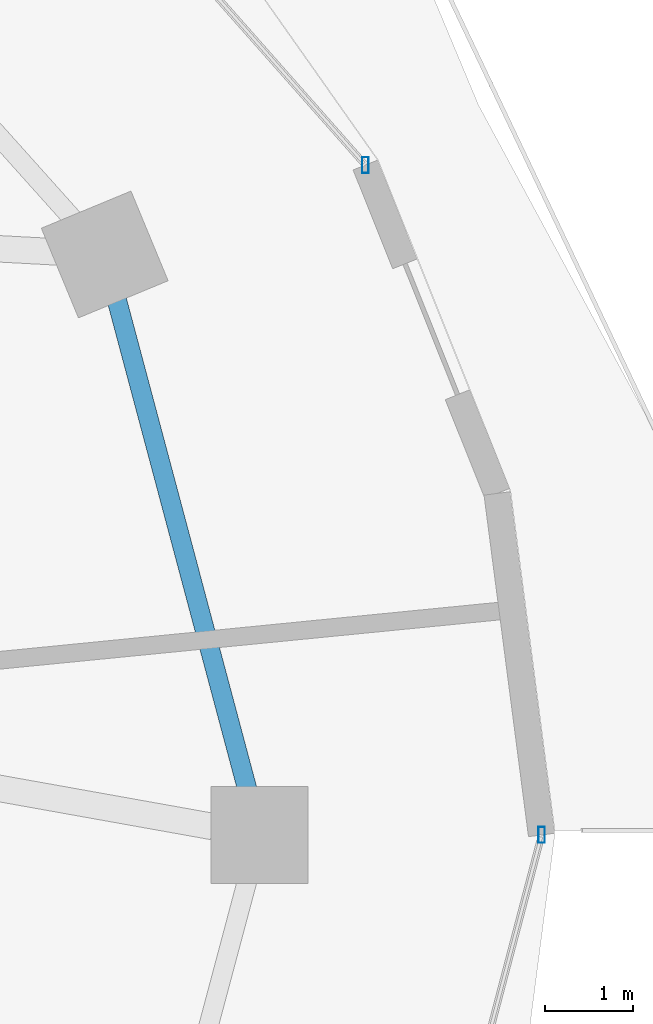
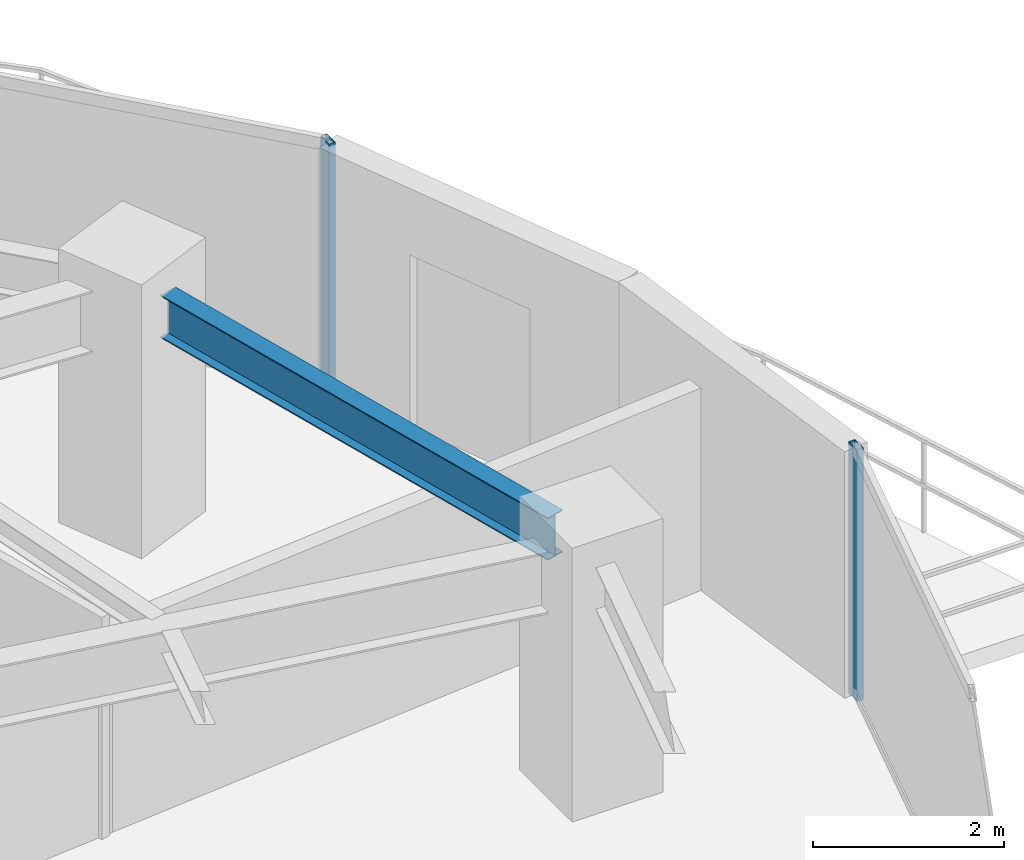
# One storey, part 15 of 29: 2 members, 1 beam, 2 elements without a shape of their own.
"""IFC4 building model written with IfcOpenShell, lengths in metres."""

from ifc_helpers import new_model, si_unit, direction, frame, origin, origin_2d, place, context, subcontext, project, spatial, hollow_rectangle, i_section, extrude, material, material_profile, profile_set, type_object, element, aggregate, save


model = new_model("IFC4")

# Units and contexts
model_context = context("Model", 3, precision=1e-05, world=origin(), true_north=direction((0.0, 1.0)))
body_context = subcontext(model_context, "Body", "Model", "MODEL_VIEW")
ifc_project = project(units=[si_unit("LENGTHUNIT", "METRE"), si_unit("AREAUNIT", "SQUARE_METRE"), si_unit("VOLUMEUNIT", "CUBIC_METRE"), si_unit("PLANEANGLEUNIT", "RADIAN"), si_unit("MASSUNIT", "GRAM", prefix="KILO")], contexts=[model_context])

# Site, building, storey
site_placement = place(None, origin())
site = spatial("IfcSite", under=ifc_project, at=site_placement, CompositionType="ELEMENT")
building_placement = place(site_placement, origin())
building = spatial("IfcBuilding", under=site, at=building_placement, Name="Vorneva Point Tower", CompositionType="ELEMENT")
storey_placement = place(building_placement, frame((0.0, 0.0, 120.800048828125)))
storey = spatial("IfcBuildingStorey", under=building, at=storey_placement, Name="L32", CompositionType="ELEMENT", Elevation=120.800048828125)

# Beam
ifc_material_1 = material(Name="Steel S355", Category="steel")
ifc_material_profile_1 = material_profile(ifc_material_1, i_section(OverallWidth=0.219970703125, OverallDepth=0.54296875, WebThickness=0.009521484375, FlangeThickness=0.013427734375, at=origin_2d()), Name="55B1")
ifc_profile_set_1 = profile_set([ifc_material_profile_1], Name="Steel S355")
beam_type = type_object("IfcBeamType", Name="BM-SPN-55B1", PredefinedType="SPANDREL", material=ifc_profile_set_1)
beam_placement = place(storey_placement, frame((60.912109375, 26.516845703125, 2.87841796875), z_axis=(-0.257572674071, 0.966258928845, 0.0), x_axis=(-0.966258928845, -0.257572674071, 0.0)))
element("IfcBeam", 1, at=beam_placement, inside=storey, type_object=beam_type, Name="L32 Perimeter Spandrel Ring Beam 01", PredefinedType="SPANDREL", context=body_context, shape_type="SweptSolid", body=[
    extrude(i_section(OverallWidth=0.219970703125, OverallDepth=0.54296875, WebThickness=0.009521484375, FlangeThickness=0.013427734375, at=origin_2d()), origin(), (0.0, 0.0, 1.0), 5.7421875),
])

# Curtain wall, member
ifc_material_2 = material(Name="Pale anodised aluminium", Category="aluminium")
curtain_wall_type = type_object("IfcCurtainWallType", Name="CW-HTL-SYS", PredefinedType="NOTDEFINED", material=ifc_material_2)
curtain_wall_1_placement = place(storey_placement, origin())
curtain_wall_1 = element("IfcCurtainWall", 2, at=curtain_wall_1_placement, inside=storey, type_object=curtain_wall_type, Name="L32 Unitised Curtain Wall CW-L32-R01", PredefinedType="NOTDEFINED")
ifc_material_profile_2 = material_profile(ifc_material_2, hollow_rectangle(XDim=0.074951171875, YDim=0.179931640625, WallThickness=0.00390625, at=origin_2d()), Name="AL-MUL 180x75x4")
ifc_profile_set_2 = profile_set([ifc_material_profile_2], Name="Pale anodised aluminium")
member_type = type_object("IfcMemberType", Name="CW-MUL-180", PredefinedType="MULLION", material=ifc_profile_set_2)
member_1_placement = place(storey_placement, frame((62.251708984375, 33.59619140625, -0.0400390625), z_axis=(0.0, 0.0, 1.0), x_axis=(1.0, 0.0, 0.0)))
member_1 = element("IfcMember", 3, at=member_1_placement, type_object=member_type, Name="CW-L32-R01 Mullion 01", PredefinedType="MULLION", context=body_context, shape_type="SweptSolid", body=[
    extrude(hollow_rectangle(XDim=0.074951171875, YDim=0.179931640625, WallThickness=0.00390625, at=origin_2d()), origin(), (0.0, 0.0, 1.0), 3.219970703125),
])
aggregate(curtain_wall_1, [member_1])

curtain_wall_2_placement = place(storey_placement, origin())
curtain_wall_2 = element("IfcCurtainWall", 4, at=curtain_wall_2_placement, inside=storey, type_object=curtain_wall_type, Name="L32 Unitised Curtain Wall CW-L32-R04", PredefinedType="NOTDEFINED")
member_2_placement = place(storey_placement, frame((64.25, 26.0, -0.0400390625), z_axis=(0.0, 0.0, 1.0), x_axis=(1.0, 0.0, 0.0)))
member_2 = element("IfcMember", 5, at=member_2_placement, type_object=member_type, Name="CW-L32-R04 Mullion 03", PredefinedType="MULLION", context=body_context, shape_type="SweptSolid", body=[
    extrude(hollow_rectangle(XDim=0.074951171875, YDim=0.179931640625, WallThickness=0.00390625, at=origin_2d()), origin(), (0.0, 0.0, 1.0), 3.219970703125),
])
aggregate(curtain_wall_2, [member_2])

save(model, "model.ifc")
